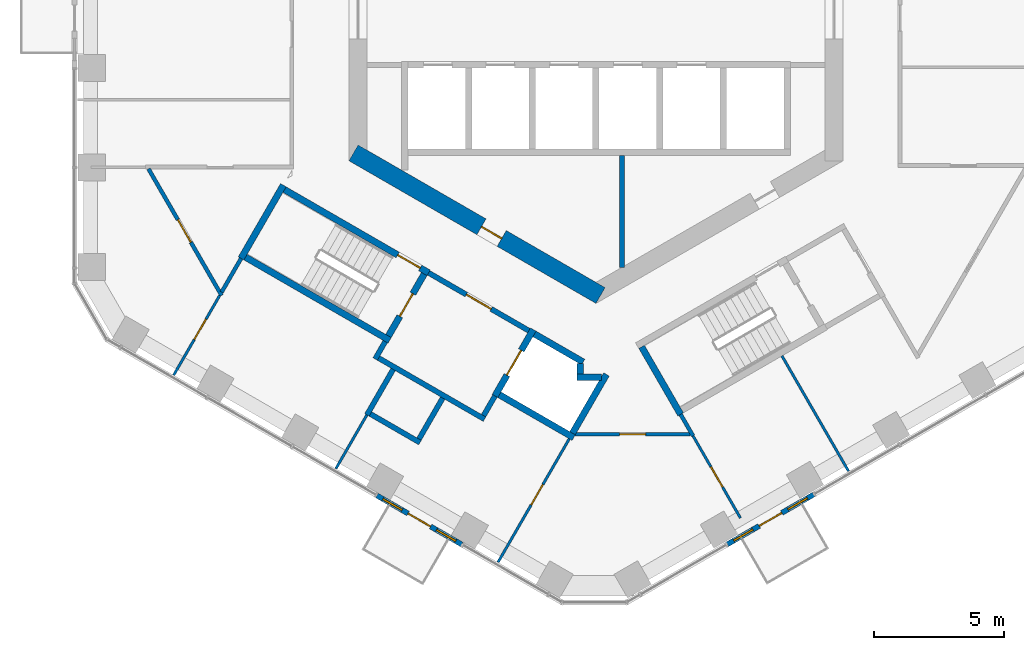
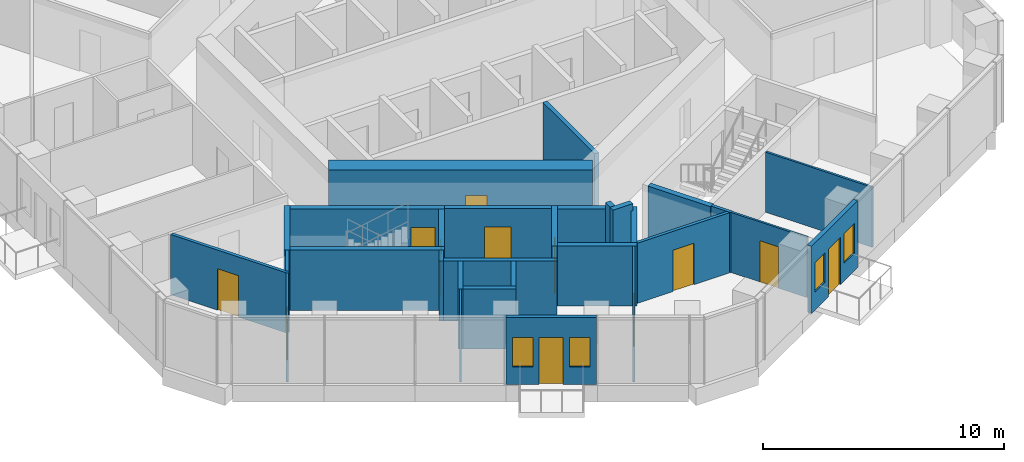
# One storey, part 13 of 20: 31 walls, 12 doors, 4 windows, 16 openings.
"""IFC4 building model written with IfcOpenShell, lengths in metres."""

from ifc_helpers import new_model, si_unit, direction, frame, frame_2d, origin, place, context, subcontext, project, spatial, rectangle, extrude, material, layer, layer_set, type_object, element, fill, save


model = new_model("IFC4")

# Units and contexts
model_context = context("Model", 3, precision=1e-05, world=origin(), true_north=direction((0.0, 1.0)))
body_context = subcontext(model_context, "Body", "Model", "MODEL_VIEW")
ifc_project = project(units=[si_unit("LENGTHUNIT", "METRE"), si_unit("AREAUNIT", "SQUARE_METRE"), si_unit("VOLUMEUNIT", "CUBIC_METRE"), si_unit("PLANEANGLEUNIT", "RADIAN"), si_unit("MASSUNIT", "GRAM", prefix="KILO")], contexts=[model_context])

# Site, building, storey
site_placement = place(None, origin())
site = spatial("IfcSite", under=ifc_project, at=site_placement, CompositionType="ELEMENT")
building_placement = place(site_placement, origin())
building = spatial("IfcBuilding", under=site, at=building_placement, Name="Ayvan Gate Tower", CompositionType="ELEMENT")
storey_placement = place(building_placement, frame((0.0, 0.0, 86.5)))
storey = spatial("IfcBuildingStorey", under=building, at=storey_placement, Name="L22", CompositionType="ELEMENT", Elevation=86.5)

# Wall, openings, door, windows
ifc_material_1 = material(Name="Insulated metal panel wall")
ifc_layer_1 = layer(ifc_material_1, 0.199951171875)
ifc_layer_set_1 = layer_set([ifc_layer_1], Name="Insulated metal panel wall")
wall_type_1 = type_object("IfcWallType", Name="Balcony door wall 200", PredefinedType="SOLIDWALL", material=ifc_layer_set_1)
wall_1_placement = place(storey_placement, frame((-8.42431640625, -18.35791015625, 0.0), z_axis=(0.0, 0.0, 1.0), x_axis=(0.866020414047, -0.500008642379, 0.0)))
wall_1 = element("IfcWall", 1, at=wall_1_placement, inside=storey, type_object=wall_type_1, Name="EW:L22:4:3", PredefinedType="SOLIDWALL", context=body_context, shape_type="SweptSolid", body=[
    extrude(rectangle(XDim=3.76611328125, YDim=0.199951171875, at=frame_2d((1.883056640625, 0.0))), origin(), (0.0, 0.0, 1.0), 3.39990234375),
])
opening_1_placement = place(wall_1_placement, frame((1.383056640625, 0.0, 0.0)))
opening_1 = element("IfcOpeningElement", 2, at=opening_1_placement, cuts=wall_1, Name="Opening L22-D94", PredefinedType="OPENING", context=body_context, shape_type="SweptSolid", body=[
    extrude(rectangle(XDim=1.0, YDim=2.39990234375, at=frame_2d((0.5, 1.199951171875))), frame((0.0, 0.10986328125, 0.0), z_axis=(0.0, -1.0, 0.0), x_axis=(1.0, 0.0, 0.0)), (0.0, 0.0, 1.0), 0.219970703125),
])
opening_2_placement = place(wall_1_placement, frame((0.2666015625, 0.0, 0.89990234375)))
opening_2 = element("IfcOpeningElement", 3, at=opening_2_placement, cuts=wall_1, Name="Opening W-B2", PredefinedType="OPENING", context=body_context, shape_type="SweptSolid", body=[
    extrude(rectangle(XDim=0.85009765625, YDim=1.5, at=frame_2d((0.425048828125, 0.75))), frame((0.0, 0.10986328125, 0.0), z_axis=(0.0, -1.0, 0.0), x_axis=(1.0, 0.0, 0.0)), (0.0, 0.0, 1.0), 0.219970703125),
])
opening_3_placement = place(wall_1_placement, frame((2.6494140625, 0.0, 0.89990234375)))
opening_3 = element("IfcOpeningElement", 4, at=opening_3_placement, cuts=wall_1, Name="Opening W-B2", PredefinedType="OPENING", context=body_context, shape_type="SweptSolid", body=[
    extrude(rectangle(XDim=0.85009765625, YDim=1.5, at=frame_2d((0.425048828125, 0.75))), frame((0.0, 0.10986328125, 0.0), z_axis=(0.0, -1.0, 0.0), x_axis=(1.0, 0.0, 0.0)), (0.0, 0.0, 1.0), 0.219970703125),
])
ifc_material_2 = material(Name="Bronze anodised aluminium and clear glass", Category="aluminium")
door_type_1 = type_object("IfcDoorType", Name="Balcony door D-B", OperationType="SINGLE_SWING_RIGHT", PredefinedType="DOOR", material=ifc_material_2)
door_1_placement = place(opening_1_placement, origin())
door_1 = element("IfcDoor", 5, at=door_1_placement, inside=storey, type_object=door_type_1, Name="Balcony door BAL-L22-4", OperationType="SINGLE_SWING_RIGHT", OverallHeight=2.39990234375, OverallWidth=1.0, PredefinedType="DOOR", context=body_context, shape_type="SweptSolid", body=[
    extrude(rectangle(XDim=1.0, YDim=2.39990234375, at=frame_2d((0.5, 1.199951171875))), frame((0.0, 0.02490234375, 0.0), z_axis=(0.0, -1.0, 0.0), x_axis=(1.0, 0.0, 0.0)), (0.0, 0.0, 1.0), 0.050048828125),
])
fill(opening_1, door_1)
window_type = type_object("IfcWindowType", Name="Balcony side light W-B Z2", PartitioningType="SINGLE_PANEL", PredefinedType="WINDOW", material=ifc_material_2)
window_1_placement = place(opening_2_placement, origin())
window_1 = element("IfcWindow", 6, at=window_1_placement, inside=storey, type_object=window_type, Name="Balcony side light BAL-L22-4.1", OverallHeight=1.5, OverallWidth=0.85009765625, PartitioningType="SINGLE_PANEL", PredefinedType="WINDOW", context=body_context, shape_type="SweptSolid", body=[
    extrude(rectangle(XDim=0.85009765625, YDim=1.5, at=frame_2d((0.425048828125, 0.75))), frame((0.0, 0.030029296875, 0.0), z_axis=(0.0, -1.0, 0.0), x_axis=(1.0, 0.0, 0.0)), (0.0, 0.0, 1.0), 0.06005859375),
])
fill(opening_2, window_1)
window_2_placement = place(opening_3_placement, origin())
window_2 = element("IfcWindow", 7, at=window_2_placement, inside=storey, type_object=window_type, Name="Balcony side light BAL-L22-4.2", OverallHeight=1.5, OverallWidth=0.85009765625, PartitioningType="SINGLE_PANEL", PredefinedType="WINDOW", context=body_context, shape_type="SweptSolid", body=[
    extrude(rectangle(XDim=0.85009765625, YDim=1.5, at=frame_2d((0.425048828125, 0.75))), frame((0.0, 0.030029296875, 0.0), z_axis=(0.0, -1.0, 0.0), x_axis=(1.0, 0.0, 0.0)), (0.0, 0.0, 1.0), 0.06005859375),
])
fill(opening_3, window_2)

wall_2_placement = place(storey_placement, frame((5.05322265625, -20.235595703125, 0.0), z_axis=(0.0, 0.0, 1.0), x_axis=(0.866020966001, 0.500007686387, 0.0)))
wall_2 = element("IfcWall", 8, at=wall_2_placement, inside=storey, type_object=wall_type_1, Name="EW:L22:5:1", PredefinedType="SOLIDWALL", context=body_context, shape_type="SweptSolid", body=[
    extrude(rectangle(XDim=3.828125, YDim=0.199951171875, at=frame_2d((1.9140625, 0.0))), origin(), (0.0, 0.0, 1.0), 3.39990234375),
])
opening_4_placement = place(wall_2_placement, frame((1.4140625, 0.0, 0.0)))
opening_4 = element("IfcOpeningElement", 9, at=opening_4_placement, cuts=wall_2, Name="Opening L22-D95", PredefinedType="OPENING", context=body_context, shape_type="SweptSolid", body=[
    extrude(rectangle(XDim=1.0, YDim=2.39990234375, at=frame_2d((0.5, 1.199951171875))), frame((0.0, 0.10986328125, 0.0), z_axis=(0.0, -1.0, 0.0), x_axis=(1.0, 0.0, 0.0)), (0.0, 0.0, 1.0), 0.219970703125),
])
opening_5_placement = place(wall_2_placement, frame((0.281982421875, 0.0, 0.89990234375)))
opening_5 = element("IfcOpeningElement", 10, at=opening_5_placement, cuts=wall_2, Name="Opening W-B2", PredefinedType="OPENING", context=body_context, shape_type="SweptSolid", body=[
    extrude(rectangle(XDim=0.85009765625, YDim=1.5, at=frame_2d((0.425048828125, 0.75))), frame((0.0, 0.10986328125, 0.0), z_axis=(0.0, -1.0, 0.0), x_axis=(1.0, 0.0, 0.0)), (0.0, 0.0, 1.0), 0.219970703125),
])
opening_6_placement = place(wall_2_placement, frame((2.696044921875, 0.0, 0.89990234375)))
opening_6 = element("IfcOpeningElement", 11, at=opening_6_placement, cuts=wall_2, Name="Opening W-B2", PredefinedType="OPENING", context=body_context, shape_type="SweptSolid", body=[
    extrude(rectangle(XDim=0.85009765625, YDim=1.5, at=frame_2d((0.425048828125, 0.75))), frame((0.0, 0.10986328125, 0.0), z_axis=(0.0, -1.0, 0.0), x_axis=(1.0, 0.0, 0.0)), (0.0, 0.0, 1.0), 0.219970703125),
])
door_2_placement = place(opening_4_placement, origin())
door_2 = element("IfcDoor", 12, at=door_2_placement, inside=storey, type_object=door_type_1, Name="Balcony door BAL-L22-5", OperationType="SINGLE_SWING_RIGHT", OverallHeight=2.39990234375, OverallWidth=1.0, PredefinedType="DOOR", context=body_context, shape_type="SweptSolid", body=[
    extrude(rectangle(XDim=1.0, YDim=2.39990234375, at=frame_2d((0.5, 1.199951171875))), frame((0.0, 0.02490234375, 0.0), z_axis=(0.0, -1.0, 0.0), x_axis=(1.0, 0.0, 0.0)), (0.0, 0.0, 1.0), 0.050048828125),
])
fill(opening_4, door_2)
window_3_placement = place(opening_5_placement, origin())
window_3 = element("IfcWindow", 13, at=window_3_placement, inside=storey, type_object=window_type, Name="Balcony side light BAL-L22-5.1", OverallHeight=1.5, OverallWidth=0.85009765625, PartitioningType="SINGLE_PANEL", PredefinedType="WINDOW", context=body_context, shape_type="SweptSolid", body=[
    extrude(rectangle(XDim=0.85009765625, YDim=1.5, at=frame_2d((0.425048828125, 0.75))), frame((0.0, 0.030029296875, 0.0), z_axis=(0.0, -1.0, 0.0), x_axis=(1.0, 0.0, 0.0)), (0.0, 0.0, 1.0), 0.06005859375),
])
fill(opening_5, window_3)
window_4_placement = place(opening_6_placement, origin())
window_4 = element("IfcWindow", 14, at=window_4_placement, inside=storey, type_object=window_type, Name="Balcony side light BAL-L22-5.2", OverallHeight=1.5, OverallWidth=0.85009765625, PartitioningType="SINGLE_PANEL", PredefinedType="WINDOW", context=body_context, shape_type="SweptSolid", body=[
    extrude(rectangle(XDim=0.85009765625, YDim=1.5, at=frame_2d((0.425048828125, 0.75))), frame((0.0, 0.030029296875, 0.0), z_axis=(0.0, -1.0, 0.0), x_axis=(1.0, 0.0, 0.0)), (0.0, 0.0, 1.0), 0.06005859375),
])
fill(opening_6, window_4)

# Wall, opening, door
ifc_material_3 = material(Name="Concrete C70/85", Category="concrete")
ifc_layer_2 = layer(ifc_material_3, 0.699951171875)
ifc_layer_set_2 = layer_set([ifc_layer_2], Name="Concrete C70/85")
wall_type_2 = type_object("IfcWallType", Name="Core wall 700 C70/85", PredefinedType="SHEAR", material=ifc_layer_set_2)
wall_3_placement = place(storey_placement, frame((-9.324951171875, -5.181640625, 0.0), z_axis=(0.0, 0.0, 1.0), x_axis=(0.866023993627, -0.500002442456, 0.0)))
wall_3 = element("IfcWall", 15, at=wall_3_placement, inside=storey, type_object=wall_type_2, Name="CORE-L22-4", PredefinedType="SHEAR", context=body_context, shape_type="SweptSolid", body=[
    extrude(rectangle(XDim=10.9697265625, YDim=0.699951171875, at=frame_2d((5.48486328125, 0.0))), origin(), (0.0, 0.0, 1.0), 3.39990234375),
])
opening_7_placement = place(wall_3_placement, frame((5.68212890625, 0.0, 0.0)))
opening_7 = element("IfcOpeningElement", 16, at=opening_7_placement, cuts=wall_3, Name="Opening L22-D98", PredefinedType="OPENING", context=body_context, shape_type="SweptSolid", body=[
    extrude(rectangle(XDim=0.89990234375, YDim=2.10009765625, at=frame_2d((0.449951171875, 1.050048828125))), frame((0.0, 0.35986328125, 0.0), z_axis=(0.0, -1.0, 0.0), x_axis=(1.0, 0.0, 0.0)), (0.0, 0.0, 1.0), 0.719970703125),
])
ifc_material_4 = material(Name="Timber door leaf", Category="wood")
door_type_2 = type_object("IfcDoorType", Name="DT-900", OperationType="NOTDEFINED", PredefinedType="DOOR", material=ifc_material_4)
door_3_placement = place(opening_7_placement, origin())
door_3 = element("IfcDoor", 17, at=door_3_placement, inside=storey, type_object=door_type_2, Name="CD-L22-98", OperationType="SINGLE_SWING_RIGHT", OverallHeight=2.10009765625, OverallWidth=0.89990234375, PredefinedType="DOOR", context=body_context, shape_type="SweptSolid", body=[
    extrude(rectangle(XDim=0.89990234375, YDim=2.10009765625, at=frame_2d((0.449951171875, 1.050048828125))), frame((0.0, 0.02490234375, 0.0), z_axis=(0.0, -1.0, 0.0), x_axis=(1.0, 0.0, 0.0)), (0.0, 0.0, 1.0), 0.050048828125),
])
fill(opening_7, door_3)

ifc_material_5 = material(Name="Plasterboard on steel stud", Category="steel")
ifc_layer_3 = layer(ifc_material_5, 0.14990234375)
ifc_layer_set_3 = layer_set([ifc_layer_3], Name="Plasterboard on steel stud")
wall_type_3 = type_object("IfcWallType", Name="WT-CORR-150", PredefinedType="PARTITIONING", material=ifc_layer_set_3)
wall_4_placement = place(storey_placement, frame((-14.397216796875, -10.66650390625, 0.0), z_axis=(0.0, 0.0, 1.0), x_axis=(-0.500000548001, 0.866025087395, 0.0)))
wall_4 = element("IfcWall", 18, at=wall_4_placement, inside=storey, type_object=wall_type_3, Name="IW-L22-005", PredefinedType="PARTITIONING", context=body_context, shape_type="SweptSolid", body=[
    extrude(rectangle(XDim=5.62353515625, YDim=0.14990234375, at=frame_2d((2.811767578125, 0.0))), origin(), (0.0, 0.0, 1.0), 3.050048828125),
])
opening_8_placement = place(wall_4_placement, frame((2.36669921875, 0.0, 0.0)))
opening_8 = element("IfcOpeningElement", 19, at=opening_8_placement, cuts=wall_4, Name="Opening L22-D28", PredefinedType="OPENING", context=body_context, shape_type="SweptSolid", body=[
    extrude(rectangle(XDim=1.0, YDim=2.10009765625, at=frame_2d((0.5, 1.050048828125))), frame((0.0, 0.0849609375, 0.0), z_axis=(0.0, -1.0, 0.0), x_axis=(1.0, 0.0, 0.0)), (0.0, 0.0, 1.0), 0.169921875),
])
door_type_3 = type_object("IfcDoorType", Name="DT-1000", OperationType="NOTDEFINED", PredefinedType="DOOR", material=ifc_material_4)
door_4_placement = place(opening_8_placement, origin())
door_4 = element("IfcDoor", 20, at=door_4_placement, inside=storey, type_object=door_type_3, Name="ID-L22-028", OperationType="SINGLE_SWING_RIGHT", OverallHeight=2.10009765625, OverallWidth=1.0, PredefinedType="DOOR", context=body_context, shape_type="SweptSolid", body=[
    extrude(rectangle(XDim=1.0, YDim=2.10009765625, at=frame_2d((0.5, 1.050048828125))), frame((0.0, 0.02490234375, 0.0), z_axis=(0.0, -1.0, 0.0), x_axis=(1.0, 0.0, 0.0)), (0.0, 0.0, 1.0), 0.050048828125),
])
fill(opening_8, door_4)

# Walls
wall_5_placement = place(storey_placement, frame((-13.647705078125, -9.23876953125, 0.0), z_axis=(0.0, 0.0, 1.0), x_axis=(-0.500098465136, -0.865968547448, 0.0)))
element("IfcWall", 21, at=wall_5_placement, inside=storey, type_object=wall_type_3, Name="IW-L22-011", PredefinedType="PARTITIONING", context=body_context, shape_type="SweptSolid", body=[
    extrude(rectangle(XDim=1.498779296875, YDim=0.14990234375, at=frame_2d((0.74951171875, 0.0))), origin(), (0.0, 0.0, 1.0), 3.050048828125),
])
wall_6_placement = place(storey_placement, frame((3.255615234375, -15.23876953125, 0.0), z_axis=(0.0, 0.0, 1.0), x_axis=(0.499847746334, -0.866113289636, 0.0)))
element("IfcWall", 22, at=wall_6_placement, inside=storey, type_object=wall_type_3, Name="IW-L22-070", PredefinedType="PARTITIONING", context=body_context, shape_type="SweptSolid", body=[
    extrude(rectangle(XDim=0.955810546875, YDim=0.14990234375, at=frame_2d((0.47802734375, 0.0))), origin(), (0.0, 0.0, 1.0), 3.050048828125),
])

# Wall, opening, door
wall_7_placement = place(storey_placement, frame((3.62109375, -16.001708984375, 0.0), z_axis=(0.0, 0.0, 1.0), x_axis=(-1.0, 0.0, 0.0)))
wall_7 = element("IfcWall", 23, at=wall_7_placement, inside=storey, type_object=wall_type_3, Name="IW-L22-072", PredefinedType="PARTITIONING", context=body_context, shape_type="SweptSolid", body=[
    extrude(rectangle(XDim=4.4208984375, YDim=0.14990234375, at=frame_2d((2.21044921875, 0.0))), origin(), (0.0, 0.0, 1.0), 3.050048828125),
])
opening_9_placement = place(wall_7_placement, frame((1.710205078125, 0.0, 0.0)))
opening_9 = element("IfcOpeningElement", 24, at=opening_9_placement, cuts=wall_7, Name="Opening L22-D30", PredefinedType="OPENING", context=body_context, shape_type="SweptSolid", body=[
    extrude(rectangle(XDim=1.0, YDim=2.10009765625, at=frame_2d((0.5, 1.050048828125))), frame((0.0, 0.0849609375, 0.0), z_axis=(0.0, -1.0, 0.0), x_axis=(1.0, 0.0, 0.0)), (0.0, 0.0, 1.0), 0.169921875),
])
door_5_placement = place(opening_9_placement, origin())
door_5 = element("IfcDoor", 25, at=door_5_placement, inside=storey, type_object=door_type_3, Name="ID-L22-030", OperationType="SINGLE_SWING_RIGHT", OverallHeight=2.10009765625, OverallWidth=1.0, PredefinedType="DOOR", context=body_context, shape_type="SweptSolid", body=[
    extrude(rectangle(XDim=1.0, YDim=2.10009765625, at=frame_2d((0.5, 1.050048828125))), frame((0.0, 0.02490234375, 0.0), z_axis=(0.0, -1.0, 0.0), x_axis=(1.0, 0.0, 0.0)), (0.0, 0.0, 1.0), 0.050048828125),
])
fill(opening_9, door_5)

ifc_layer_4 = layer(ifc_material_5, 0.10009765625)
ifc_layer_set_4 = layer_set([ifc_layer_4], Name="Plasterboard on steel stud")
wall_type_4 = type_object("IfcWallType", Name="WT-PART-100", PredefinedType="PARTITIONING", material=ifc_layer_set_4)
wall_8_placement = place(storey_placement, frame((-14.47216796875, -10.66650390625, 0.0), z_axis=(0.0, 0.0, 1.0), x_axis=(-0.500003579843, -0.866023336951, 0.0)))
wall_8 = element("IfcWall", 26, at=wall_8_placement, inside=storey, type_object=wall_type_4, Name="IW-L22-006", PredefinedType="PARTITIONING", context=body_context, shape_type="SweptSolid", body=[
    extrude(rectangle(XDim=3.533203125, YDim=0.10009765625, at=frame_2d((1.7666015625, 0.0))), origin(), (0.0, 0.0, 1.0), 3.050048828125),
])
opening_10_placement = place(wall_8_placement, frame((1.055908203125, 0.0, 0.0)))
opening_10 = element("IfcOpeningElement", 27, at=opening_10_placement, cuts=wall_8, Name="Opening L22-D29", PredefinedType="OPENING", context=body_context, shape_type="SweptSolid", body=[
    extrude(rectangle(XDim=0.89990234375, YDim=2.10009765625, at=frame_2d((0.449951171875, 1.050048828125))), frame((0.0, 0.06005859375, 0.0), z_axis=(0.0, -1.0, 0.0), x_axis=(1.0, 0.0, 0.0)), (0.0, 0.0, 1.0), 0.1201171875),
])
door_6_placement = place(opening_10_placement, origin())
door_6 = element("IfcDoor", 28, at=door_6_placement, inside=storey, type_object=door_type_2, Name="ID-L22-029", OperationType="SINGLE_SWING_LEFT", OverallHeight=2.10009765625, OverallWidth=0.89990234375, PredefinedType="DOOR", context=body_context, shape_type="SweptSolid", body=[
    extrude(rectangle(XDim=0.89990234375, YDim=2.10009765625, at=frame_2d((0.449951171875, 1.050048828125))), frame((0.0, 0.02490234375, 0.0), z_axis=(0.0, -1.0, 0.0), x_axis=(1.0, 0.0, 0.0)), (0.0, 0.0, 1.0), 0.050048828125),
])
fill(opening_10, door_6)

# Wall
wall_9_placement = place(storey_placement, frame((-10.00341796875, -17.326171875, 0.0), z_axis=(0.0, 0.0, 1.0), x_axis=(0.500056007527, 0.865993065409, 0.0)))
element("IfcWall", 29, at=wall_9_placement, inside=storey, type_object=wall_type_4, Name="IW-L22-022", PredefinedType="PARTITIONING", context=body_context, shape_type="SweptSolid", body=[
    extrude(rectangle(XDim=2.386474609375, YDim=0.10009765625, at=frame_2d((1.193359375, 0.0))), origin(), (0.0, 0.0, 1.0), 3.050048828125),
])

# Wall, opening, door
wall_10_placement = place(storey_placement, frame((-3.767822265625, -20.92626953125, 0.0), z_axis=(0.0, 0.0, 1.0), x_axis=(0.499980760091, 0.866036511666, 0.0)))
wall_10 = element("IfcWall", 30, at=wall_10_placement, inside=storey, type_object=wall_type_4, Name="IW-L22-041", PredefinedType="PARTITIONING", context=body_context, shape_type="SweptSolid", body=[
    extrude(rectangle(XDim=5.481689453125, YDim=0.10009765625, at=frame_2d((2.74072265625, 0.0))), origin(), (0.0, 0.0, 1.0), 3.050048828125),
])
opening_11_placement = place(wall_10_placement, frame((2.55126953125, 0.0, 0.0)))
opening_11 = element("IfcOpeningElement", 31, at=opening_11_placement, cuts=wall_10, Name="Opening L22-D31", PredefinedType="OPENING", context=body_context, shape_type="SweptSolid", body=[
    extrude(rectangle(XDim=0.89990234375, YDim=2.10009765625, at=frame_2d((0.449951171875, 1.050048828125))), frame((0.0, 0.06005859375, 0.0), z_axis=(0.0, -1.0, 0.0), x_axis=(1.0, 0.0, 0.0)), (0.0, 0.0, 1.0), 0.1201171875),
])
door_7_placement = place(opening_11_placement, origin())
door_7 = element("IfcDoor", 32, at=door_7_placement, inside=storey, type_object=door_type_2, Name="ID-L22-031", OperationType="SINGLE_SWING_LEFT", OverallHeight=2.10009765625, OverallWidth=0.89990234375, PredefinedType="DOOR", context=body_context, shape_type="SweptSolid", body=[
    extrude(rectangle(XDim=0.89990234375, YDim=2.10009765625, at=frame_2d((0.449951171875, 1.050048828125))), frame((0.0, 0.02490234375, 0.0), z_axis=(0.0, -1.0, 0.0), x_axis=(1.0, 0.0, 0.0)), (0.0, 0.0, 1.0), 0.050048828125),
])
fill(opening_11, door_7)

wall_11_placement = place(storey_placement, frame((3.7333984375, -16.066650390625, 0.0), z_axis=(0.0, 0.0, 1.0), x_axis=(0.500014248385, -0.866017177319, 0.0)))
wall_11 = element("IfcWall", 33, at=wall_11_placement, inside=storey, type_object=wall_type_4, Name="IW-L22-073", PredefinedType="PARTITIONING", context=body_context, shape_type="SweptSolid", body=[
    extrude(rectangle(XDim=3.6455078125, YDim=0.10009765625, at=frame_2d((1.82275390625, 0.0))), origin(), (0.0, 0.0, 1.0), 3.050048828125),
])
opening_12_placement = place(wall_11_placement, frame((1.372802734375, 0.0, 0.0)))
opening_12 = element("IfcOpeningElement", 34, at=opening_12_placement, cuts=wall_11, Name="Opening L22-D32", PredefinedType="OPENING", context=body_context, shape_type="SweptSolid", body=[
    extrude(rectangle(XDim=0.89990234375, YDim=2.10009765625, at=frame_2d((0.449951171875, 1.050048828125))), frame((0.0, 0.06005859375, 0.0), z_axis=(0.0, -1.0, 0.0), x_axis=(1.0, 0.0, 0.0)), (0.0, 0.0, 1.0), 0.1201171875),
])
door_8_placement = place(opening_12_placement, origin())
door_8 = element("IfcDoor", 35, at=door_8_placement, inside=storey, type_object=door_type_2, Name="ID-L22-032", OperationType="SINGLE_SWING_RIGHT", OverallHeight=2.10009765625, OverallWidth=0.89990234375, PredefinedType="DOOR", context=body_context, shape_type="SweptSolid", body=[
    extrude(rectangle(XDim=0.89990234375, YDim=2.10009765625, at=frame_2d((0.449951171875, 1.050048828125))), frame((0.0, 0.02490234375, 0.0), z_axis=(0.0, -1.0, 0.0), x_axis=(1.0, 0.0, 0.0)), (0.0, 0.0, 1.0), 0.050048828125),
])
fill(opening_12, door_8)

# Walls
wall_12_placement = place(storey_placement, frame((7.152587890625, -12.98876953125, 0.0), z_axis=(0.0, 0.0, 1.0), x_axis=(0.50001950338, -0.86601414321, 0.0)))
element("IfcWall", 36, at=wall_12_placement, inside=storey, type_object=wall_type_4, Name="IW-L22-080", PredefinedType="PARTITIONING", context=body_context, shape_type="SweptSolid", body=[
    extrude(rectangle(XDim=5.122314453125, YDim=0.10009765625, at=frame_2d((2.56103515625, 0.0))), origin(), (0.0, 0.0, 1.0), 3.050048828125),
])
ifc_layer_5 = layer(ifc_material_5, 0.199951171875)
ifc_layer_set_5 = layer_set([ifc_layer_5], Name="Plasterboard on steel stud")
wall_type_5 = type_object("IfcWallType", Name="WT-PLUMB-200", PredefinedType="PLUMBINGWALL", material=ifc_layer_set_5)
wall_13_placement = place(storey_placement, frame((-8.81005859375, -15.259521484375, 0.0), z_axis=(0.0, 0.0, 1.0), x_axis=(0.499973530083, 0.866040685659, 0.0)))
element("IfcWall", 37, at=wall_13_placement, inside=storey, type_object=wall_type_5, Name="IW-L22-019", PredefinedType="PLUMBINGWALL", context=body_context, shape_type="SweptSolid", body=[
    extrude(rectangle(XDim=2.02001953125, YDim=0.199951171875, at=frame_2d((1.010009765625, 0.0))), origin(), (0.0, 0.0, 1.0), 3.050048828125),
])
wall_14_placement = place(storey_placement, frame((-6.768310546875, -16.322998046875, 0.0), z_axis=(0.0, 0.0, 1.0), x_axis=(-0.866008176907, 0.50002983664, 0.0)))
element("IfcWall", 38, at=wall_14_placement, inside=storey, type_object=wall_type_5, Name="IW-L22-029", PredefinedType="PLUMBINGWALL", context=body_context, shape_type="SweptSolid", body=[
    extrude(rectangle(XDim=2.199951171875, YDim=0.199951171875, at=frame_2d((1.10009765625, 0.0))), origin(), (0.0, 0.0, 1.0), 3.050048828125),
])
wall_15_placement = place(storey_placement, frame((-5.894775390625, -14.610107421875, 0.0), z_axis=(0.0, 0.0, 1.0), x_axis=(-0.499962438169, -0.866047089031, 0.0)))
element("IfcWall", 39, at=wall_15_placement, inside=storey, type_object=wall_type_5, Name="IW-L22-033", PredefinedType="PLUMBINGWALL", context=body_context, shape_type="SweptSolid", body=[
    extrude(rectangle(XDim=1.820068359375, YDim=0.199951171875, at=frame_2d((0.91015625, 0.0))), origin(), (0.0, 0.0, 1.0), 3.050048828125),
])
ifc_layer_6 = layer(ifc_material_5, 0.199951171875)
ifc_layer_set_6 = layer_set([ifc_layer_6], Name="Plasterboard on steel stud")
wall_type_6 = type_object("IfcWallType", Name="WT-RATED-200", PredefinedType="PARTITIONING", material=ifc_layer_set_6)
wall_16_placement = place(storey_placement, frame((-8.492919921875, -13.110107421875, 0.0), z_axis=(0.0, 0.0, 1.0), x_axis=(0.500067724834, 0.865986299303, 0.0)))
element("IfcWall", 40, at=wall_16_placement, inside=storey, type_object=wall_type_6, Name="IW-L22-020", PredefinedType="PARTITIONING", context=body_context, shape_type="SweptSolid", body=[
    extrude(rectangle(XDim=0.775390625, YDim=0.199951171875, at=frame_2d((0.3876953125, 0.0))), origin(), (0.0, 0.0, 1.0), 3.050048828125),
])
wall_17_placement = place(storey_placement, frame((-8.356201171875, -13.073486328125, 0.0), z_axis=(0.0, 0.0, 1.0), x_axis=(0.866038532462, -0.499977259774, 0.0)))
element("IfcWall", 41, at=wall_17_placement, inside=storey, type_object=wall_type_6, Name="IW-L22-023", PredefinedType="PARTITIONING", context=body_context, shape_type="SweptSolid", body=[
    extrude(rectangle(XDim=4.699951171875, YDim=0.199951171875, at=frame_2d((2.35009765625, 0.0))), origin(), (0.0, 0.0, 1.0), 3.050048828125),
])

# Wall, opening, door
wall_18_placement = place(storey_placement, frame((-6.4345703125, -9.794921875, 0.0), z_axis=(0.0, 0.0, 1.0), x_axis=(0.866012907634, -0.500021643343, 0.0)))
wall_18 = element("IfcWall", 42, at=wall_18_placement, inside=storey, type_object=wall_type_6, Name="IW-L22-031", PredefinedType="PARTITIONING", context=body_context, shape_type="SweptSolid", body=[
    extrude(rectangle(XDim=4.449951171875, YDim=0.199951171875, at=frame_2d((2.22509765625, 0.0))), origin(), (0.0, 0.0, 1.0), 3.050048828125),
])
opening_13_placement = place(wall_18_placement, frame((1.675048828125, 0.0, 0.0)))
opening_13 = element("IfcOpeningElement", 43, at=opening_13_placement, cuts=wall_18, Name="Opening L22-D12", PredefinedType="OPENING", context=body_context, shape_type="SweptSolid", body=[
    extrude(rectangle(XDim=1.10009765625, YDim=2.10009765625, at=frame_2d((0.550048828125, 1.050048828125))), frame((0.0, 0.10986328125, 0.0), z_axis=(0.0, -1.0, 0.0), x_axis=(1.0, 0.0, 0.0)), (0.0, 0.0, 1.0), 0.219970703125),
])
door_type_4 = type_object("IfcDoorType", Name="DT-1100", OperationType="NOTDEFINED", PredefinedType="DOOR", material=ifc_material_4)
door_9_placement = place(opening_13_placement, origin())
door_9 = element("IfcDoor", 44, at=door_9_placement, inside=storey, type_object=door_type_4, Name="ID-L22-012", OperationType="SINGLE_SWING_RIGHT", OverallHeight=2.10009765625, OverallWidth=1.10009765625, PredefinedType="DOOR", context=body_context, shape_type="SweptSolid", body=[
    extrude(rectangle(XDim=1.10009765625, YDim=2.10009765625, at=frame_2d((0.550048828125, 1.050048828125))), frame((0.0, 0.02490234375, 0.0), z_axis=(0.0, -1.0, 0.0), x_axis=(1.0, 0.0, 0.0)), (0.0, 0.0, 1.0), 0.050048828125),
])
fill(opening_13, door_9)

# Walls
wall_19_placement = place(storey_placement, frame((-3.885009765625, -14.52880859375, 0.0), z_axis=(0.0, 0.0, 1.0), x_axis=(-0.499859285417, -0.866106630146, 0.0)))
element("IfcWall", 45, at=wall_19_placement, inside=storey, type_object=wall_type_6, Name="IW-L22-039", PredefinedType="PARTITIONING", context=body_context, shape_type="SweptSolid", body=[
    extrude(rectangle(XDim=0.875244140625, YDim=0.199951171875, at=frame_2d((0.4375, 0.0))), origin(), (0.0, 0.0, 1.0), 3.050048828125),
])
wall_20_placement = place(storey_placement, frame((1.0, -5.27490234375, 0.0), z_axis=(0.0, 0.0, 1.0), x_axis=(0.0, -1.0, 0.0)))
element("IfcWall", 46, at=wall_20_placement, inside=storey, type_object=wall_type_6, Name="IW-L22-061", PredefinedType="PARTITIONING", context=body_context, shape_type="SweptSolid", body=[
    extrude(rectangle(XDim=4.30908203125, YDim=0.199951171875, at=frame_2d((2.154541015625, 0.0))), origin(), (0.0, 0.0, 1.0), 3.050048828125),
])
ifc_material_6 = material(Name="Concrete C50/60", Category="concrete")
ifc_layer_7 = layer(ifc_material_6, 0.25)
ifc_layer_set_7 = layer_set([ifc_layer_7], Name="Concrete C50/60")
wall_type_7 = type_object("IfcWallType", Name="WT-RC-250", PredefinedType="SHEAR", material=ifc_layer_set_7)
wall_21_placement = place(storey_placement, frame((-13.64794921875, -9.23876953125, 0.0), z_axis=(0.0, 0.0, 1.0), x_axis=(0.500017246033, 0.866015446554, 0.0)))
element("IfcWall", 47, at=wall_21_placement, inside=storey, type_object=wall_type_7, Name="IW-L22-010", PredefinedType="SHEAR", context=body_context, shape_type="SweptSolid", body=[
    extrude(rectangle(XDim=3.25, YDim=0.25, at=frame_2d((1.625, 0.0))), origin(), (0.0, 0.0, 1.0), 3.050048828125),
])

# Wall, opening, door
wall_22_placement = place(storey_placement, frame((-11.97705078125, -6.594970703125, 0.0), z_axis=(0.0, 0.0, 1.0), x_axis=(0.866025499775, -0.499999833739, 0.0)))
wall_22 = element("IfcWall", 48, at=wall_22_placement, inside=storey, type_object=wall_type_7, Name="IW-L22-013", PredefinedType="SHEAR", context=body_context, shape_type="SweptSolid", body=[
    extrude(rectangle(XDim=6.39990234375, YDim=0.25, at=frame_2d((3.199951171875, 0.0))), origin(), (0.0, 0.0, 1.0), 3.050048828125),
])
opening_14_placement = place(wall_22_placement, frame((5.02490234375, 0.0, 0.0)))
opening_14 = element("IfcOpeningElement", 49, at=opening_14_placement, cuts=wall_22, Name="Opening L22-D10", PredefinedType="OPENING", context=body_context, shape_type="SweptSolid", body=[
    extrude(rectangle(XDim=1.0, YDim=2.10009765625, at=frame_2d((0.5, 1.050048828125))), frame((0.0, 0.135009765625, 0.0), z_axis=(0.0, -1.0, 0.0), x_axis=(1.0, 0.0, 0.0)), (0.0, 0.0, 1.0), 0.27001953125),
])
door_10_placement = place(opening_14_placement, origin())
door_10 = element("IfcDoor", 50, at=door_10_placement, inside=storey, type_object=door_type_3, Name="ID-L22-010", OperationType="SINGLE_SWING_RIGHT", OverallHeight=2.10009765625, OverallWidth=1.0, PredefinedType="DOOR", context=body_context, shape_type="SweptSolid", body=[
    extrude(rectangle(XDim=1.0, YDim=2.10009765625, at=frame_2d((0.5, 1.050048828125))), frame((0.0, 0.02490234375, 0.0), z_axis=(0.0, -1.0, 0.0), x_axis=(1.0, 0.0, 0.0)), (0.0, 0.0, 1.0), 0.050048828125),
])
fill(opening_14, door_10)

# Wall
wall_23_placement = place(storey_placement, frame((-7.9345703125, -12.39306640625, 0.0), z_axis=(0.0, 0.0, 1.0), x_axis=(-0.866025499775, 0.499999833739, 0.0)))
element("IfcWall", 51, at=wall_23_placement, inside=storey, type_object=wall_type_7, Name="IW-L22-021", PredefinedType="SHEAR", context=body_context, shape_type="SweptSolid", body=[
    extrude(rectangle(XDim=6.39990234375, YDim=0.25, at=frame_2d((3.199951171875, 0.0))), origin(), (0.0, 0.0, 1.0), 3.050048828125),
])

# Wall, opening, door
wall_24_placement = place(storey_placement, frame((-6.605224609375, -9.8408203125, 0.0), z_axis=(0.0, 0.0, 1.0), x_axis=(-0.499996545922, -0.866027397988, 0.0)))
wall_24 = element("IfcWall", 52, at=wall_24_placement, inside=storey, type_object=wall_type_7, Name="IW-L22-030", PredefinedType="SHEAR", context=body_context, shape_type="SweptSolid", body=[
    extrude(rectangle(XDim=2.75, YDim=0.25, at=frame_2d((1.375, 0.0))), origin(), (0.0, 0.0, 1.0), 3.050048828125),
])
opening_15_placement = place(wall_24_placement, frame((0.875, 0.0, 0.0)))
opening_15 = element("IfcOpeningElement", 53, at=opening_15_placement, cuts=wall_24, Name="Opening L22-D11", PredefinedType="OPENING", context=body_context, shape_type="SweptSolid", body=[
    extrude(rectangle(XDim=1.0, YDim=2.10009765625, at=frame_2d((0.5, 1.050048828125))), frame((0.0, 0.135009765625, 0.0), z_axis=(0.0, -1.0, 0.0), x_axis=(1.0, 0.0, 0.0)), (0.0, 0.0, 1.0), 0.27001953125),
])
door_11_placement = place(opening_15_placement, origin())
door_11 = element("IfcDoor", 54, at=door_11_placement, inside=storey, type_object=door_type_3, Name="ID-L22-011", OperationType="SINGLE_SWING_LEFT", OverallHeight=2.10009765625, OverallWidth=1.0, PredefinedType="DOOR", context=body_context, shape_type="SweptSolid", body=[
    extrude(rectangle(XDim=1.0, YDim=2.10009765625, at=frame_2d((0.5, 1.050048828125))), frame((0.0, 0.02490234375, 0.0), z_axis=(0.0, -1.0, 0.0), x_axis=(1.0, 0.0, 0.0)), (0.0, 0.0, 1.0), 0.050048828125),
])
fill(opening_15, door_11)

wall_25_placement = place(storey_placement, frame((-2.409912109375, -11.97412109375, 0.0), z_axis=(0.0, 0.0, 1.0), x_axis=(-0.500001826776, -0.866024349092, 0.0)))
wall_25 = element("IfcWall", 55, at=wall_25_placement, inside=storey, type_object=wall_type_7, Name="IW-L22-045", PredefinedType="SHEAR", context=body_context, shape_type="SweptSolid", body=[
    extrude(rectangle(XDim=2.9501953125, YDim=0.25, at=frame_2d((1.47509765625, 0.0))), origin(), (0.0, 0.0, 1.0), 3.050048828125),
])
opening_16_placement = place(wall_25_placement, frame((0.925048828125, 0.0, 0.0)))
opening_16 = element("IfcOpeningElement", 56, at=opening_16_placement, cuts=wall_25, Name="Opening L22-LD-FF2", PredefinedType="OPENING", context=body_context, shape_type="SweptSolid", body=[
    extrude(rectangle(XDim=1.10009765625, YDim=2.10009765625, at=frame_2d((0.550048828125, 1.050048828125))), frame((0.0, 0.135009765625, 0.0), z_axis=(0.0, -1.0, 0.0), x_axis=(1.0, 0.0, 0.0)), (0.0, 0.0, 1.0), 0.27001953125),
])
ifc_material_7 = material(Name="Stainless steel landing door", Category="steel")
door_type_5 = type_object("IfcDoorType", Name="DT-LANDING-1100", OperationType="SLIDING_TO_LEFT", PredefinedType="DOOR", material=ifc_material_7)
door_12_placement = place(opening_16_placement, origin())
door_12 = element("IfcDoor", 57, at=door_12_placement, inside=storey, type_object=door_type_5, Name="ID-L22-013", OperationType="SLIDING_TO_LEFT", OverallHeight=2.10009765625, OverallWidth=1.10009765625, PredefinedType="DOOR", context=body_context, shape_type="SweptSolid", body=[
    extrude(rectangle(XDim=1.10009765625, YDim=2.10009765625, at=frame_2d((0.550048828125, 1.050048828125))), frame((0.0, 0.02490234375, 0.0), z_axis=(0.0, -1.0, 0.0), x_axis=(1.0, 0.0, 0.0)), (0.0, 0.0, 1.0), 0.050048828125),
])
fill(opening_16, door_12)

# Walls
wall_26_placement = place(storey_placement, frame((-2.3642578125, -12.14501953125, 0.0), z_axis=(0.0, 0.0, 1.0), x_axis=(0.86603892542, -0.499976579108, 0.0)))
element("IfcWall", 58, at=wall_26_placement, inside=storey, type_object=wall_type_7, Name="IW-L22-046", PredefinedType="SHEAR", context=body_context, shape_type="SweptSolid", body=[
    extrude(rectangle(XDim=2.162109375, YDim=0.25, at=frame_2d((1.0810546875, 0.0))), origin(), (0.0, 0.0, 1.0), 3.050048828125),
])
wall_27_placement = place(storey_placement, frame((-0.8564453125, -16.13330078125, 0.0), z_axis=(0.0, 0.0, 1.0), x_axis=(-0.866021716278, 0.500006386895, 0.0)))
element("IfcWall", 59, at=wall_27_placement, inside=storey, type_object=wall_type_7, Name="IW-L22-050", PredefinedType="SHEAR", context=body_context, shape_type="SweptSolid", body=[
    extrude(rectangle(XDim=3.2998046875, YDim=0.25, at=frame_2d((1.64990234375, 0.0))), origin(), (0.0, 0.0, 1.0), 3.050048828125),
])
wall_28_placement = place(storey_placement, frame((-0.902099609375, -15.96240234375, 0.0), z_axis=(0.0, 0.0, 1.0), x_axis=(0.499981517636, 0.866036074319, 0.0)))
element("IfcWall", 60, at=wall_28_placement, inside=storey, type_object=wall_type_7, Name="IW-L22-051", PredefinedType="SHEAR", context=body_context, shape_type="SweptSolid", body=[
    extrude(rectangle(XDim=2.6103515625, YDim=0.25, at=frame_2d((1.30517578125, 0.0))), origin(), (0.0, 0.0, 1.0), 3.050048828125),
])
wall_29_placement = place(storey_placement, frame((-0.72509765625, -13.81005859375, 0.0), z_axis=(0.0, 0.0, 1.0), x_axis=(1.0, 0.0, 0.0)))
element("IfcWall", 61, at=wall_29_placement, inside=storey, type_object=wall_type_7, Name="IW-L22-052", PredefinedType="SHEAR", context=body_context, shape_type="SweptSolid", body=[
    extrude(rectangle(XDim=0.940673828125, YDim=0.25, at=frame_2d((0.47021484375, 0.0))), origin(), (0.0, 0.0, 1.0), 3.39990234375),
])
wall_30_placement = place(storey_placement, frame((-0.60009765625, -13.28857421875, 0.0), z_axis=(0.0, 0.0, 1.0), x_axis=(0.0, -1.0, 0.0)))
element("IfcWall", 62, at=wall_30_placement, inside=storey, type_object=wall_type_7, Name="IW-L22-053", PredefinedType="SHEAR", context=body_context, shape_type="SweptSolid", body=[
    extrude(rectangle(XDim=0.396484375, YDim=0.25, at=frame_2d((0.1982421875, 0.0))), origin(), (0.0, 0.0, 1.0), 3.39990234375),
])
wall_31_placement = place(storey_placement, frame((3.255615234375, -15.23876953125, 0.0), z_axis=(0.0, 0.0, 1.0), x_axis=(-0.50002537861, 0.866010750942, 0.0)))
element("IfcWall", 63, at=wall_31_placement, inside=storey, type_object=wall_type_7, Name="IW-L22-071", PredefinedType="SHEAR", context=body_context, shape_type="SweptSolid", body=[
    extrude(rectangle(XDim=2.999755859375, YDim=0.25, at=frame_2d((1.5, 0.0))), origin(), (0.0, 0.0, 1.0), 3.050048828125),
])

save(model, "model.ifc")
